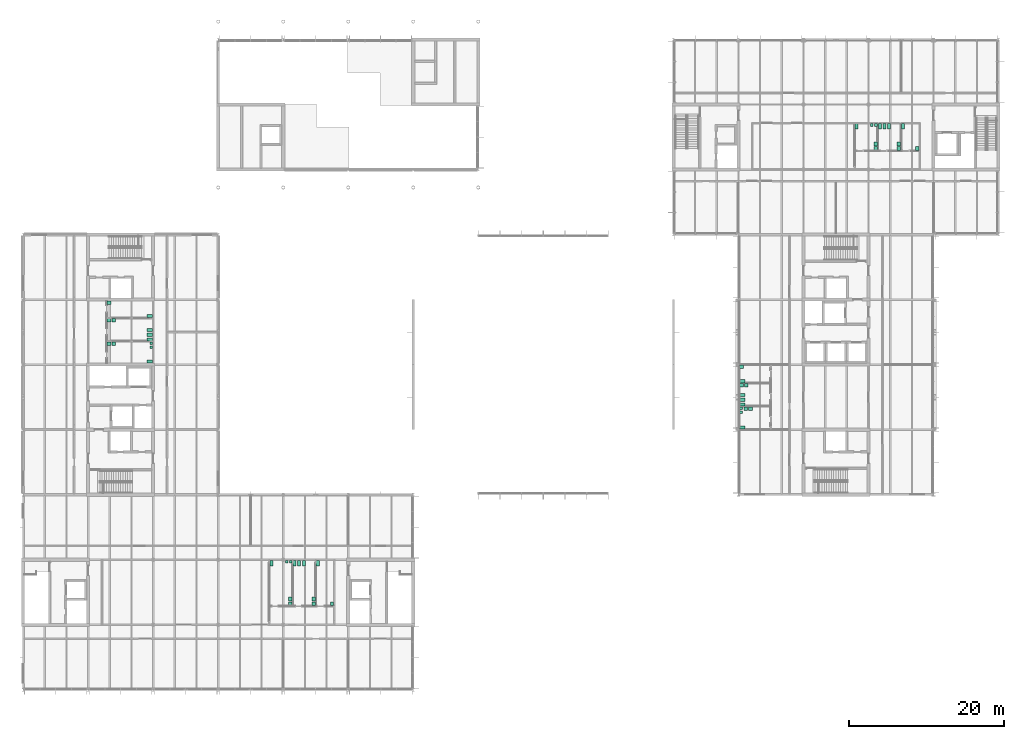
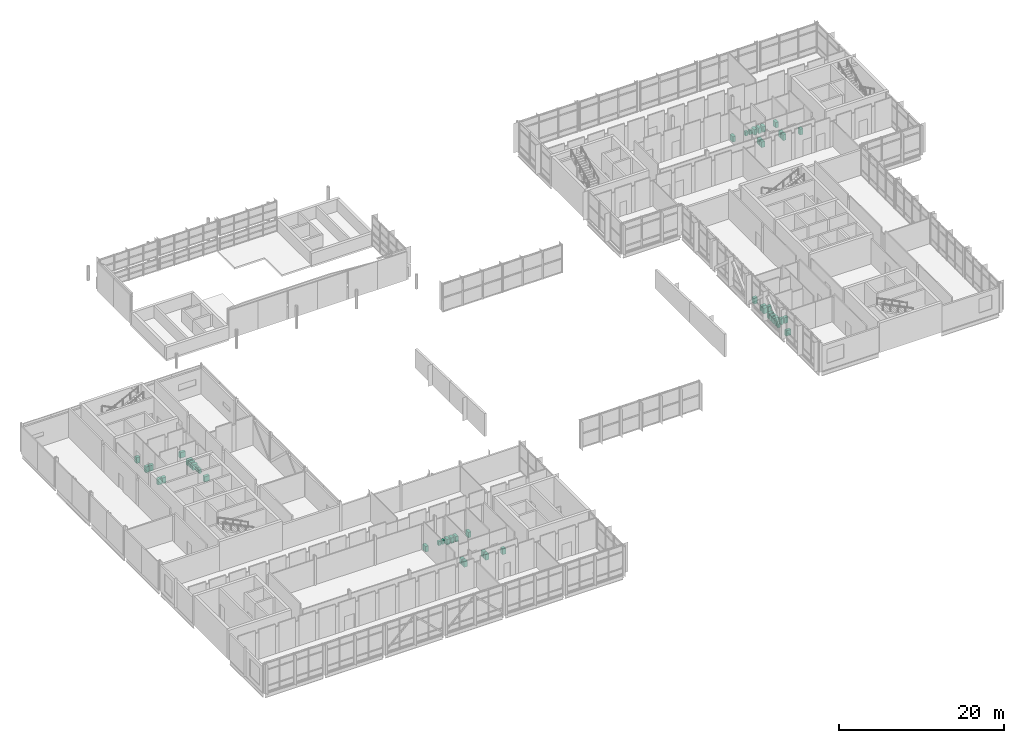
# One storey, part 72 of 72: 48 sanitary terminals.
"""IFC4 building model written with IfcOpenShell, lengths in metres."""

from ifc_helpers import new_model, si_unit, direction, frame, origin, origin_2d, place, context, subcontext, project, spatial, rectangle, extrude, element, save


model = new_model("IFC4")

# Units and contexts
model_context = context("Model", 3, precision=1e-05, world=origin(), true_north=direction((0.0, 1.0)))
body_context = subcontext(model_context, "Body", "Model", "MODEL_VIEW")
ifc_project = project(units=[si_unit("LENGTHUNIT", "METRE"), si_unit("AREAUNIT", "SQUARE_METRE"), si_unit("VOLUMEUNIT", "CUBIC_METRE"), si_unit("PLANEANGLEUNIT", "RADIAN"), si_unit("MASSUNIT", "GRAM", prefix="KILO")], contexts=[model_context])

# Site, building, storey
site_placement = place(None, origin())
site = spatial("IfcSite", under=ifc_project, at=site_placement, CompositionType="ELEMENT")
building_placement = place(site_placement, origin())
building = spatial("IfcBuilding", under=site, at=building_placement, Name="Hlaing Beacon Police Headquarters", CompositionType="ELEMENT")
storey_placement = place(building_placement, frame((0.0, 0.0, 14.39990234375)))
storey = spatial("IfcBuildingStorey", under=building, at=storey_placement, Name="L03", CompositionType="ELEMENT", Elevation=14.39990234375)

# Sanitary terminals
sanitary_terminal_1_placement = place(storey_placement, frame((46.462890625, 24.77490234375, 0.0), z_axis=(0.0, 0.0, 1.0), x_axis=(1.0, 0.0, 0.0)))
element("IfcSanitaryTerminal", 1, at=sanitary_terminal_1_placement, inside=storey, Name="Water closet", PredefinedType="TOILETPAN", context=body_context, shape_type="SweptSolid", body=[
    extrude(rectangle(XDim=0.39990234375, YDim=0.699951171875, at=origin_2d()), origin(), (0.0, 0.0, 1.0), 0.800048828125),
])
sanitary_terminal_2_placement = place(storey_placement, frame((48.300048828125, 19.511962890625, 0.0), z_axis=(0.0, 0.0, 1.0), x_axis=(1.0, 0.0, 0.0)))
element("IfcSanitaryTerminal", 2, at=sanitary_terminal_2_placement, inside=storey, Name="Wash basin", PredefinedType="WASHHANDBASIN", context=body_context, shape_type="SweptSolid", body=[
    extrude(rectangle(XDim=0.449951171875, YDim=0.5, at=origin_2d()), origin(), (0.0, 0.0, 1.0), 0.85009765625),
])
for number, where, z_axis, x_axis, name in (
    (3, (43.462890625, 24.77490234375, 0.0), (0.0, 0.0, 1.0), (1.0, 0.0, 0.0), "Water closet"),
    (4, (44.06201171875, 24.77490234375, 0.0), (0.0, 0.0, 1.0), (1.0, 0.0, 0.0), "Water closet"),
    (5, (44.6630859375, 24.77490234375, 0.0), (0.0, 0.0, 1.0), (1.0, 0.0, 0.0), "Water closet"),
):
    element("IfcSanitaryTerminal", number, at=place(storey_placement, frame(where, z_axis=z_axis, x_axis=x_axis)), inside=storey, Name=name, PredefinedType="TOILETPAN", context=body_context, shape_type="SweptSolid", body=[
        extrude(rectangle(XDim=0.39990234375, YDim=0.699951171875, at=origin_2d()), origin(), (0.0, 0.0, 1.0), 0.800048828125),
    ])
for number, where, z_axis, x_axis, name in (
    (6, (45.912109375, 19.511962890625, 0.0), (0.0, 0.0, 1.0), (1.0, 0.0, 0.0), "Wash basin"),
    (7, (45.912109375, 20.113037109375, 0.0), (0.0, 0.0, 1.0), (1.0, 0.0, 0.0), "Wash basin"),
):
    element("IfcSanitaryTerminal", number, at=place(storey_placement, frame(where, z_axis=z_axis, x_axis=x_axis)), inside=storey, Name=name, PredefinedType="WASHHANDBASIN", context=body_context, shape_type="SweptSolid", body=[
        extrude(rectangle(XDim=0.449951171875, YDim=0.5, at=origin_2d()), origin(), (0.0, 0.0, 1.0), 0.85009765625),
    ])
sanitary_terminal_3_placement = place(storey_placement, frame((40.462890625, 24.77490234375, 0.0), z_axis=(0.0, 0.0, 1.0), x_axis=(1.0, 0.0, 0.0)))
element("IfcSanitaryTerminal", 8, at=sanitary_terminal_3_placement, inside=storey, Name="Water closet", PredefinedType="TOILETPAN", context=body_context, shape_type="SweptSolid", body=[
    extrude(rectangle(XDim=0.39990234375, YDim=0.699951171875, at=origin_2d()), origin(), (0.0, 0.0, 1.0), 0.800048828125),
])
for number, where, z_axis, x_axis, name in (
    (9, (42.962890625, 24.949951171875, 0.0), (0.0, 0.0, 1.0), (1.0, 0.0, 0.0), "Urinal"),
    (10, (42.462890625, 24.949951171875, 0.0), (0.0, 0.0, 1.0), (1.0, 0.0, 0.0), "Urinal"),
):
    element("IfcSanitaryTerminal", number, at=place(storey_placement, frame(where, z_axis=z_axis, x_axis=x_axis)), inside=storey, Name=name, PredefinedType="URINAL", context=body_context, shape_type="SweptSolid", body=[
        extrude(rectangle(XDim=0.35009765625, YDim=0.35009765625, at=origin_2d()), origin(), (0.0, 0.0, 1.0), 0.60009765625),
    ])
for number, where, z_axis, x_axis, name in (
    (11, (42.912109375, 19.511962890625, 0.0), (0.0, 0.0, 1.0), (1.0, 0.0, 0.0), "Wash basin"),
    (12, (42.912109375, 20.113037109375, 0.0), (0.0, 0.0, 1.0), (1.0, 0.0, 0.0), "Wash basin"),
):
    element("IfcSanitaryTerminal", number, at=place(storey_placement, frame(where, z_axis=z_axis, x_axis=x_axis)), inside=storey, Name=name, PredefinedType="WASHHANDBASIN", context=body_context, shape_type="SweptSolid", body=[
        extrude(rectangle(XDim=0.449951171875, YDim=0.5, at=origin_2d()), origin(), (0.0, 0.0, 1.0), 0.85009765625),
    ])
sanitary_terminal_4_placement = place(storey_placement, frame((101.300048828125, 48.262939453125, 0.0), z_axis=(0.0, 0.0, 1.0), x_axis=(1.0, 0.0, 0.0)))
element("IfcSanitaryTerminal", 13, at=sanitary_terminal_4_placement, inside=storey, Name="Water closet", PredefinedType="TOILETPAN", context=body_context, shape_type="SweptSolid", body=[
    extrude(rectangle(XDim=0.699951171875, YDim=0.39990234375, at=origin_2d()), origin(), (0.0, 0.0, 1.0), 0.800048828125),
])
sanitary_terminal_5_placement = place(storey_placement, frame((101.199951171875, 50.112060546875, 0.0), z_axis=(0.0, 0.0, 1.0), x_axis=(1.0, 0.0, 0.0)))
element("IfcSanitaryTerminal", 14, at=sanitary_terminal_5_placement, inside=storey, Name="Wash basin", PredefinedType="WASHHANDBASIN", context=body_context, shape_type="SweptSolid", body=[
    extrude(rectangle(XDim=0.5, YDim=0.449951171875, at=origin_2d()), origin(), (0.0, 0.0, 1.0), 0.85009765625),
])
for number, where, z_axis, x_axis, name in (
    (15, (101.300048828125, 45.261962890625, 0.0), (0.0, 0.0, 1.0), (1.0, 0.0, 0.0), "Water closet"),
    (16, (101.300048828125, 45.863037109375, 0.0), (0.0, 0.0, 1.0), (1.0, 0.0, 0.0), "Water closet"),
    (17, (101.300048828125, 46.4619140625, 0.0), (0.0, 0.0, 1.0), (1.0, 0.0, 0.0), "Water closet"),
):
    element("IfcSanitaryTerminal", number, at=place(storey_placement, frame(where, z_axis=z_axis, x_axis=x_axis)), inside=storey, Name=name, PredefinedType="TOILETPAN", context=body_context, shape_type="SweptSolid", body=[
        extrude(rectangle(XDim=0.699951171875, YDim=0.39990234375, at=origin_2d()), origin(), (0.0, 0.0, 1.0), 0.800048828125),
    ])
for number, where, z_axis, x_axis, name in (
    (18, (101.199951171875, 47.712890625, 0.0), (0.0, 0.0, 1.0), (1.0, 0.0, 0.0), "Wash basin"),
    (19, (101.800048828125, 47.712890625, 0.0), (0.0, 0.0, 1.0), (1.0, 0.0, 0.0), "Wash basin"),
):
    element("IfcSanitaryTerminal", number, at=place(storey_placement, frame(where, z_axis=z_axis, x_axis=x_axis)), inside=storey, Name=name, PredefinedType="WASHHANDBASIN", context=body_context, shape_type="SweptSolid", body=[
        extrude(rectangle(XDim=0.5, YDim=0.449951171875, at=origin_2d()), origin(), (0.0, 0.0, 1.0), 0.85009765625),
    ])
sanitary_terminal_6_placement = place(storey_placement, frame((101.300048828125, 42.262939453125, 0.0), z_axis=(0.0, 0.0, 1.0), x_axis=(1.0, 0.0, 0.0)))
element("IfcSanitaryTerminal", 20, at=sanitary_terminal_6_placement, inside=storey, Name="Water closet", PredefinedType="TOILETPAN", context=body_context, shape_type="SweptSolid", body=[
    extrude(rectangle(XDim=0.699951171875, YDim=0.39990234375, at=origin_2d()), origin(), (0.0, 0.0, 1.0), 0.800048828125),
])
for number, where, z_axis, x_axis, name in (
    (21, (101.125, 44.761962890625, 0.0), (0.0, 0.0, 1.0), (1.0, 0.0, 0.0), "Urinal"),
    (22, (101.125, 44.262939453125, 0.0), (0.0, 0.0, 1.0), (1.0, 0.0, 0.0), "Urinal"),
):
    element("IfcSanitaryTerminal", number, at=place(storey_placement, frame(where, z_axis=z_axis, x_axis=x_axis)), inside=storey, Name=name, PredefinedType="URINAL", context=body_context, shape_type="SweptSolid", body=[
        extrude(rectangle(XDim=0.35009765625, YDim=0.35009765625, at=origin_2d()), origin(), (0.0, 0.0, 1.0), 0.60009765625),
    ])
for number, where, z_axis, x_axis, name in (
    (23, (101.75, 44.712890625, 0.0), (0.0, 0.0, 1.0), (1.0, 0.0, 0.0), "Wash basin"),
    (24, (102.35009765625, 44.712890625, 0.0), (0.0, 0.0, 1.0), (1.0, 0.0, 0.0), "Wash basin"),
):
    element("IfcSanitaryTerminal", number, at=place(storey_placement, frame(where, z_axis=z_axis, x_axis=x_axis)), inside=storey, Name=name, PredefinedType="WASHHANDBASIN", context=body_context, shape_type="SweptSolid", body=[
        extrude(rectangle(XDim=0.5, YDim=0.449951171875, at=origin_2d()), origin(), (0.0, 0.0, 1.0), 0.85009765625),
    ])
sanitary_terminal_7_placement = place(storey_placement, frame((24.77490234375, 56.6630859375, 0.0), z_axis=(0.0, 0.0, 1.0), x_axis=(1.0, 0.0, 0.0)))
element("IfcSanitaryTerminal", 25, at=sanitary_terminal_7_placement, inside=storey, Name="Water closet", PredefinedType="TOILETPAN", context=body_context, shape_type="SweptSolid", body=[
    extrude(rectangle(XDim=0.699951171875, YDim=0.39990234375, at=origin_2d()), origin(), (0.0, 0.0, 1.0), 0.800048828125),
])
sanitary_terminal_8_placement = place(storey_placement, frame((19.511962890625, 58.375, 0.0), z_axis=(0.0, 0.0, 1.0), x_axis=(1.0, 0.0, 0.0)))
element("IfcSanitaryTerminal", 26, at=sanitary_terminal_8_placement, inside=storey, Name="Wash basin", PredefinedType="WASHHANDBASIN", context=body_context, shape_type="SweptSolid", body=[
    extrude(rectangle(XDim=0.5, YDim=0.449951171875, at=origin_2d()), origin(), (0.0, 0.0, 1.0), 0.85009765625),
])
for number, where, z_axis, x_axis, name in (
    (27, (24.77490234375, 53.6630859375, 0.0), (0.0, 0.0, 1.0), (1.0, 0.0, 0.0), "Water closet"),
    (28, (24.77490234375, 54.261962890625, 0.0), (0.0, 0.0, 1.0), (1.0, 0.0, 0.0), "Water closet"),
    (29, (24.77490234375, 54.863037109375, 0.0), (0.0, 0.0, 1.0), (1.0, 0.0, 0.0), "Water closet"),
):
    element("IfcSanitaryTerminal", number, at=place(storey_placement, frame(where, z_axis=z_axis, x_axis=x_axis)), inside=storey, Name=name, PredefinedType="TOILETPAN", context=body_context, shape_type="SweptSolid", body=[
        extrude(rectangle(XDim=0.699951171875, YDim=0.39990234375, at=origin_2d()), origin(), (0.0, 0.0, 1.0), 0.800048828125),
    ])
for number, where, z_axis, x_axis, name in (
    (30, (19.511962890625, 56.112060546875, 0.0), (0.0, 0.0, 1.0), (1.0, 0.0, 0.0), "Wash basin"),
    (31, (20.113037109375, 56.112060546875, 0.0), (0.0, 0.0, 1.0), (1.0, 0.0, 0.0), "Wash basin"),
):
    element("IfcSanitaryTerminal", number, at=place(storey_placement, frame(where, z_axis=z_axis, x_axis=x_axis)), inside=storey, Name=name, PredefinedType="WASHHANDBASIN", context=body_context, shape_type="SweptSolid", body=[
        extrude(rectangle(XDim=0.5, YDim=0.449951171875, at=origin_2d()), origin(), (0.0, 0.0, 1.0), 0.85009765625),
    ])
sanitary_terminal_9_placement = place(storey_placement, frame((24.77490234375, 50.800048828125, 0.0), z_axis=(0.0, 0.0, 1.0), x_axis=(1.0, 0.0, 0.0)))
element("IfcSanitaryTerminal", 32, at=sanitary_terminal_9_placement, inside=storey, Name="Water closet", PredefinedType="TOILETPAN", context=body_context, shape_type="SweptSolid", body=[
    extrude(rectangle(XDim=0.699951171875, YDim=0.39990234375, at=origin_2d()), origin(), (0.0, 0.0, 1.0), 0.800048828125),
])
for number, where, z_axis, x_axis, name in (
    (33, (24.949951171875, 53.162109375, 0.0), (0.0, 0.0, 1.0), (1.0, 0.0, 0.0), "Urinal"),
    (34, (24.949951171875, 52.662109375, 0.0), (0.0, 0.0, 1.0), (1.0, 0.0, 0.0), "Urinal"),
):
    element("IfcSanitaryTerminal", number, at=place(storey_placement, frame(where, z_axis=z_axis, x_axis=x_axis)), inside=storey, Name=name, PredefinedType="URINAL", context=body_context, shape_type="SweptSolid", body=[
        extrude(rectangle(XDim=0.35009765625, YDim=0.35009765625, at=origin_2d()), origin(), (0.0, 0.0, 1.0), 0.60009765625),
    ])
for number, where, z_axis, x_axis, name in (
    (35, (19.511962890625, 53.112060546875, 0.0), (0.0, 0.0, 1.0), (1.0, 0.0, 0.0), "Wash basin"),
    (36, (20.113037109375, 53.112060546875, 0.0), (0.0, 0.0, 1.0), (1.0, 0.0, 0.0), "Wash basin"),
):
    element("IfcSanitaryTerminal", number, at=place(storey_placement, frame(where, z_axis=z_axis, x_axis=x_axis)), inside=storey, Name=name, PredefinedType="WASHHANDBASIN", context=body_context, shape_type="SweptSolid", body=[
        extrude(rectangle(XDim=0.5, YDim=0.449951171875, at=origin_2d()), origin(), (0.0, 0.0, 1.0), 0.85009765625),
    ])
sanitary_terminal_10_placement = place(storey_placement, frame((122.06201171875, 81.175048828125, 0.0), z_axis=(0.0, 0.0, 1.0), x_axis=(1.0, 0.0, 0.0)))
element("IfcSanitaryTerminal", 37, at=sanitary_terminal_10_placement, inside=storey, Name="Water closet", PredefinedType="TOILETPAN", context=body_context, shape_type="SweptSolid", body=[
    extrude(rectangle(XDim=0.39990234375, YDim=0.699951171875, at=origin_2d()), origin(), (0.0, 0.0, 1.0), 0.800048828125),
])
sanitary_terminal_11_placement = place(storey_placement, frame((123.89990234375, 78.31201171875, 0.0), z_axis=(0.0, 0.0, 1.0), x_axis=(1.0, 0.0, 0.0)))
element("IfcSanitaryTerminal", 38, at=sanitary_terminal_11_placement, inside=storey, Name="Wash basin", PredefinedType="WASHHANDBASIN", context=body_context, shape_type="SweptSolid", body=[
    extrude(rectangle(XDim=0.449951171875, YDim=0.5, at=origin_2d()), origin(), (0.0, 0.0, 1.0), 0.85009765625),
])
for number, where, z_axis, x_axis, name in (
    (39, (119.06201171875, 81.175048828125, 0.0), (0.0, 0.0, 1.0), (1.0, 0.0, 0.0), "Water closet"),
    (40, (119.662109375, 81.175048828125, 0.0), (0.0, 0.0, 1.0), (1.0, 0.0, 0.0), "Water closet"),
    (41, (120.261962890625, 81.175048828125, 0.0), (0.0, 0.0, 1.0), (1.0, 0.0, 0.0), "Water closet"),
):
    element("IfcSanitaryTerminal", number, at=place(storey_placement, frame(where, z_axis=z_axis, x_axis=x_axis)), inside=storey, Name=name, PredefinedType="TOILETPAN", context=body_context, shape_type="SweptSolid", body=[
        extrude(rectangle(XDim=0.39990234375, YDim=0.699951171875, at=origin_2d()), origin(), (0.0, 0.0, 1.0), 0.800048828125),
    ])
for number, where, z_axis, x_axis, name in (
    (42, (121.511962890625, 78.31201171875, 0.0), (0.0, 0.0, 1.0), (1.0, 0.0, 0.0), "Wash basin"),
    (43, (121.511962890625, 78.912109375, 0.0), (0.0, 0.0, 1.0), (1.0, 0.0, 0.0), "Wash basin"),
):
    element("IfcSanitaryTerminal", number, at=place(storey_placement, frame(where, z_axis=z_axis, x_axis=x_axis)), inside=storey, Name=name, PredefinedType="WASHHANDBASIN", context=body_context, shape_type="SweptSolid", body=[
        extrude(rectangle(XDim=0.449951171875, YDim=0.5, at=origin_2d()), origin(), (0.0, 0.0, 1.0), 0.85009765625),
    ])
sanitary_terminal_12_placement = place(storey_placement, frame((116.06201171875, 81.175048828125, 0.0), z_axis=(0.0, 0.0, 1.0), x_axis=(1.0, 0.0, 0.0)))
element("IfcSanitaryTerminal", 44, at=sanitary_terminal_12_placement, inside=storey, Name="Water closet", PredefinedType="TOILETPAN", context=body_context, shape_type="SweptSolid", body=[
    extrude(rectangle(XDim=0.39990234375, YDim=0.699951171875, at=origin_2d()), origin(), (0.0, 0.0, 1.0), 0.800048828125),
])
for number, where, z_axis, x_axis, name in (
    (45, (118.56201171875, 81.35009765625, 0.0), (0.0, 0.0, 1.0), (1.0, 0.0, 0.0), "Urinal"),
    (46, (118.011962890625, 81.35009765625, 0.0), (0.0, 0.0, 1.0), (1.0, 0.0, 0.0), "Urinal"),
):
    element("IfcSanitaryTerminal", number, at=place(storey_placement, frame(where, z_axis=z_axis, x_axis=x_axis)), inside=storey, Name=name, PredefinedType="URINAL", context=body_context, shape_type="SweptSolid", body=[
        extrude(rectangle(XDim=0.35009765625, YDim=0.35009765625, at=origin_2d()), origin(), (0.0, 0.0, 1.0), 0.60009765625),
    ])
for number, where, z_axis, x_axis, name in (
    (47, (118.512939453125, 78.31201171875, 0.0), (0.0, 0.0, 1.0), (1.0, 0.0, 0.0), "Wash basin"),
    (48, (118.512939453125, 78.912109375, 0.0), (0.0, 0.0, 1.0), (1.0, 0.0, 0.0), "Wash basin"),
):
    element("IfcSanitaryTerminal", number, at=place(storey_placement, frame(where, z_axis=z_axis, x_axis=x_axis)), inside=storey, Name=name, PredefinedType="WASHHANDBASIN", context=body_context, shape_type="SweptSolid", body=[
        extrude(rectangle(XDim=0.449951171875, YDim=0.5, at=origin_2d()), origin(), (0.0, 0.0, 1.0), 0.85009765625),
    ])

save(model, "model.ifc")
